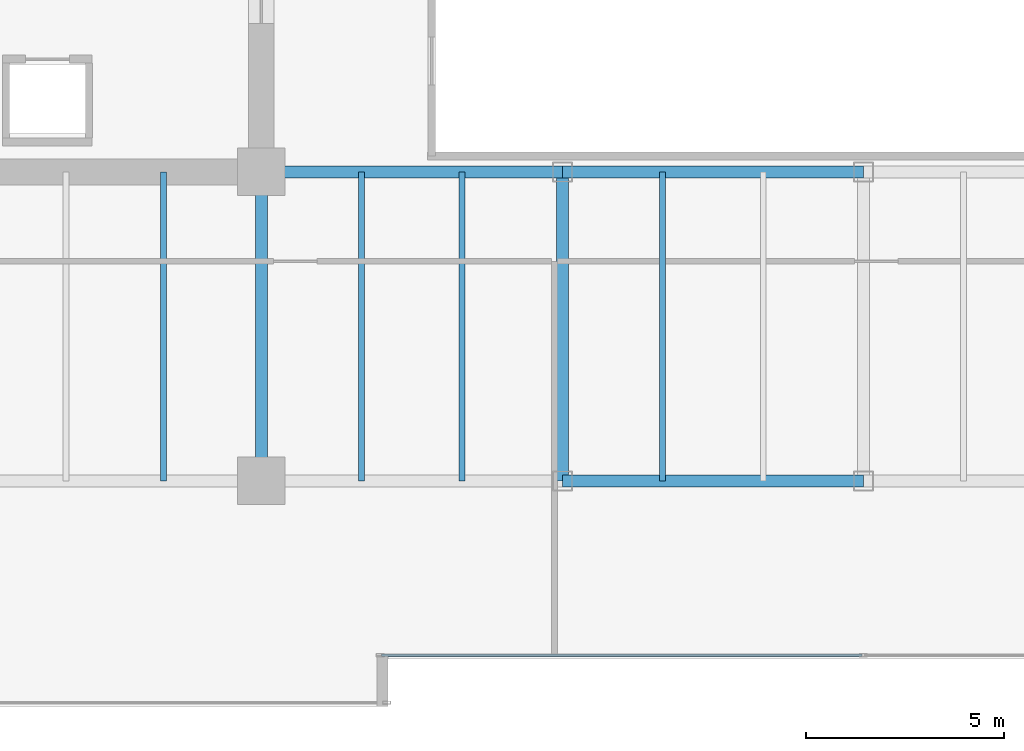
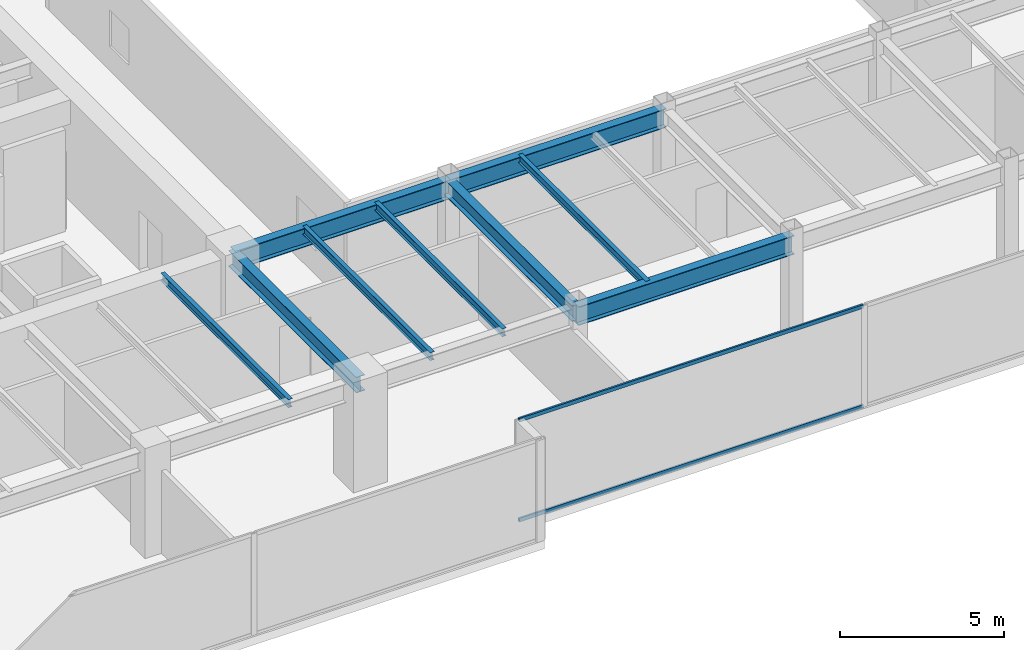
# One storey, part 5 of 31: 9 beams, 2 members, 1 element without a shape of its own.
"""IFC4 building model written with IfcOpenShell, lengths in metres."""

from ifc_helpers import new_model, si_unit, direction, frame, origin, origin_2d, place, context, subcontext, project, spatial, hollow_rectangle, i_section, extrude, source, transform, mapped, material, layer, layer_set, material_profile, profile_set, type_object, type_shapes, element, aggregate, save


model = new_model("IFC4")

# Units and contexts
model_context = context("Model", 3, precision=1e-05, world=origin(), true_north=direction((0.0, 1.0)))
body_context = subcontext(model_context, "Body", "Model", "MODEL_VIEW")
ifc_project = project(units=[si_unit("LENGTHUNIT", "METRE"), si_unit("AREAUNIT", "SQUARE_METRE"), si_unit("VOLUMEUNIT", "CUBIC_METRE"), si_unit("PLANEANGLEUNIT", "RADIAN"), si_unit("MASSUNIT", "GRAM", prefix="KILO")], contexts=[model_context])

# Site, building, storey
site_placement = place(None, origin())
site = spatial("IfcSite", under=ifc_project, at=site_placement, CompositionType="ELEMENT")
building_placement = place(site_placement, origin())
building = spatial("IfcBuilding", under=site, at=building_placement, Name="Haelvirn Gate Laboratories", CompositionType="ELEMENT")
storey_placement = place(building_placement, frame((0.0, 0.0, 154.300048828125)))
storey = spatial("IfcBuildingStorey", under=building, at=storey_placement, Name="L37", CompositionType="ELEMENT", Elevation=154.300048828125)

# Beams
ifc_material_1 = material(Name="Steel SM355", Category="steel")
ifc_material_profile_1 = material_profile(ifc_material_1, i_section(OverallWidth=0.300048828125, OverallDepth=0.699951171875, WebThickness=0.012939453125, FlangeThickness=0.02392578125, at=origin_2d()), Name="H-700x300x13x24")
ifc_profile_set_1 = profile_set([ifc_material_profile_1], Name="Steel SM355")
beam_type_1 = type_object("IfcBeamType", Name="BM-G-700", PredefinedType="BEAM", material=ifc_profile_set_1)
shared_shape_1 = source(origin(), body_context, "Body", "SweptSolid", [
    extrude(i_section(OverallWidth=0.300048828125, OverallDepth=0.699951171875, WebThickness=0.012939453125, FlangeThickness=0.02392578125, at=origin_2d()), origin(), (0.0, 0.0, 1.0), 7.60009765625),
])
beam_placement = place(storey_placement, frame((22.199951171875, 14.800048828125, 3.43994140625), z_axis=(1.0, 0.0, 0.0), x_axis=(0.0, 1.0, 0.0)))
element("IfcBeam", 1, at=beam_placement, inside=storey, type_object=beam_type_1, Name="L37 Primary Girder Y14.8 (22.2-29.8)", PredefinedType="BEAM", context=body_context, shape_type="MappedRepresentation", body=[
    mapped(shared_shape_1, transform((0.0, 0.0, 0.0), scale=1.0)),
])
shared_shape_2 = source(origin(), body_context, "Body", "SweptSolid", [
    extrude(i_section(OverallWidth=0.300048828125, OverallDepth=0.699951171875, WebThickness=0.012939453125, FlangeThickness=0.02392578125, at=origin_2d()), origin(), (0.0, 0.0, 1.0), 7.599853515625),
])
type_shapes(beam_type_1, [shared_shape_1, shared_shape_2])
for number, where, z_axis, x_axis, name in (
    (2, (29.800048828125, 7.0, 3.43994140625), (1.0, 0.0, 0.0), (0.0, 1.0, 0.0), "L37 Primary Girder Y7.0 (29.8-37.4)"),
    (3, (29.800048828125, 14.800048828125, 3.43994140625), (1.0, 0.0, 0.0), (0.0, 1.0, 0.0), "L37 Primary Girder Y14.8 (29.8-37.4)"),
):
    element("IfcBeam", number, at=place(storey_placement, frame(where, z_axis=z_axis, x_axis=x_axis)), inside=storey, type_object=beam_type_1, Name=name, PredefinedType="BEAM", context=body_context, shape_type="MappedRepresentation", body=[
        mapped(shared_shape_2, transform((0.0, 0.0, 0.0), scale=1.0)),
    ])
ifc_material_profile_2 = material_profile(ifc_material_1, i_section(OverallWidth=0.14990234375, OverallDepth=0.300048828125, WebThickness=0.006591796875, FlangeThickness=0.009033203125, at=origin_2d()), Name="H-300x150x6.5x9")
ifc_profile_set_2 = profile_set([ifc_material_profile_2], Name="Steel SM355")
beam_type_2 = type_object("IfcBeamType", Name="BM-J-300", PredefinedType="JOIST", material=ifc_profile_set_2)
shared_shape_3 = source(origin(), body_context, "Body", "SweptSolid", [
    extrude(i_section(OverallWidth=0.14990234375, OverallDepth=0.300048828125, WebThickness=0.006591796875, FlangeThickness=0.009033203125, at=origin_2d()), origin(), (0.0, 0.0, 1.0), 7.800048828125),
])
type_shapes(beam_type_2, [shared_shape_3])
for number, where, z_axis, x_axis, name in (
    (4, (19.72998046875, 7.0, 3.639892578125), (0.0, 1.0, 0.0), (-1.0, 0.0, 0.0), "L37 Composite Lab Joist South X19.73"),
    (5, (24.72998046875, 7.0, 3.639892578125), (0.0, 1.0, 0.0), (-1.0, 0.0, 0.0), "L37 Composite Lab Joist South X24.73"),
    (6, (27.27001953125, 7.0, 3.639892578125), (0.0, 1.0, 0.0), (-1.0, 0.0, 0.0), "L37 Composite Lab Joist South X27.27"),
    (7, (32.330078125, 7.0, 3.639892578125), (0.0, 1.0, 0.0), (-1.0, 0.0, 0.0), "L37 Composite Lab Joist South X32.33"),
):
    element("IfcBeam", number, at=place(storey_placement, frame(where, z_axis=z_axis, x_axis=x_axis)), inside=storey, type_object=beam_type_2, Name=name, PredefinedType="JOIST", context=body_context, shape_type="MappedRepresentation", body=[
        mapped(shared_shape_3, transform((0.0, 0.0, 0.0), scale=1.0)),
    ])
ifc_material_profile_3 = material_profile(ifc_material_1, i_section(OverallWidth=0.300048828125, OverallDepth=0.587890625, WebThickness=0.011962890625, FlangeThickness=0.02001953125, at=origin_2d()), Name="H-588x300x12x20")
ifc_profile_set_3 = profile_set([ifc_material_profile_3], Name="Steel SM355")
beam_type_3 = type_object("IfcBeamType", Name="BM-G-588", PredefinedType="BEAM", material=ifc_profile_set_3)
shared_shape_4 = source(origin(), body_context, "Body", "SweptSolid", [
    extrude(i_section(OverallWidth=0.300048828125, OverallDepth=0.587890625, WebThickness=0.011962890625, FlangeThickness=0.02001953125, at=origin_2d()), origin(), (0.0, 0.0, 1.0), 7.800048828125),
])
type_shapes(beam_type_3, [shared_shape_4])
for number, where, z_axis, x_axis, name in (
    (8, (22.199951171875, 7.0, 3.495849609375), (0.0, 1.0, 0.0), (-1.0, 0.0, 0.0), "L37 Frame Girder X22.2 (7.0-14.8)"),
    (9, (29.800048828125, 7.0, 3.495849609375), (0.0, 1.0, 0.0), (-1.0, 0.0, 0.0), "L37 Frame Girder X29.8 (7.0-14.8)"),
):
    element("IfcBeam", number, at=place(storey_placement, frame(where, z_axis=z_axis, x_axis=x_axis)), inside=storey, type_object=beam_type_3, Name=name, PredefinedType="BEAM", context=body_context, shape_type="MappedRepresentation", body=[
        mapped(shared_shape_4, transform((0.0, 0.0, 0.0), scale=1.0)),
    ])

# Curtain wall, members
ifc_material_2 = material(Name="Anodised bronze unitised aluminium & triple low-E glass", Category="aluminium")
ifc_layer = layer(ifc_material_2, 0.179931640625, Name="CW-SYS-3")
ifc_layer_set = layer_set([ifc_layer], Name="Anodised bronze unitised aluminium & triple low-E glass")
curtain_wall_type = type_object("IfcCurtainWallType", Name="CW-SYS-3", PredefinedType="NOTDEFINED", material=ifc_layer_set)
curtain_wall_placement = place(storey_placement, origin())
curtain_wall = element("IfcCurtainWall", 10, at=curtain_wall_placement, inside=storey, type_object=curtain_wall_type, Name="L37 Unitised Curtain Wall CW-L37-P0-E02-1", PredefinedType="NOTDEFINED")
ifc_material_3 = material(Name="Extruded aluminium 6063-T6 (anodised bronze)", Category="aluminium")
ifc_material_profile_4 = material_profile(ifc_material_3, hollow_rectangle(XDim=0.06494140625, YDim=0.139892578125, WallThickness=0.00390625, at=origin_2d()), Name="CWT-140x65x4")
ifc_profile_set_4 = profile_set([ifc_material_profile_4], Name="Extruded aluminium 6063-T6 (anodised bronze)")
member_type = type_object("IfcMemberType", Name="CWT-T140", PredefinedType="USERDEFINED", material=ifc_profile_set_4)
shared_shape_5 = source(origin(), body_context, "Body", "SweptSolid", [
    extrude(hollow_rectangle(XDim=0.06494140625, YDim=0.139892578125, WallThickness=0.00390625, at=origin_2d()), origin(), (0.0, 0.0, 1.0), 12.12744140625),
])
type_shapes(member_type, [shared_shape_5])
member_1_placement = place(storey_placement, frame((25.235107421875, 2.60009765625, 0.032470703125), z_axis=(1.0, 0.0, 0.0), x_axis=(0.0, 1.0, 0.0)))
member_1 = element("IfcMember", 11, at=member_1_placement, type_object=member_type, Name="CW3 transom 1.1", ObjectType="TRANSOM", PredefinedType="USERDEFINED", context=body_context, shape_type="MappedRepresentation", body=[
    mapped(shared_shape_5, transform((0.0, 0.0, 0.0), scale=1.0)),
])
member_2_placement = place(storey_placement, frame((25.235107421875, 2.60009765625, 3.757568359375), z_axis=(1.0, 0.0, 0.0), x_axis=(0.0, 1.0, 0.0)))
member_2 = element("IfcMember", 12, at=member_2_placement, type_object=member_type, Name="CW3 transom 1.2", ObjectType="TRANSOM", PredefinedType="USERDEFINED", context=body_context, shape_type="MappedRepresentation", body=[
    mapped(shared_shape_5, transform((0.0, 0.0, 0.0), scale=1.0)),
])
aggregate(curtain_wall, [member_1, member_2])

save(model, "model.ifc")
